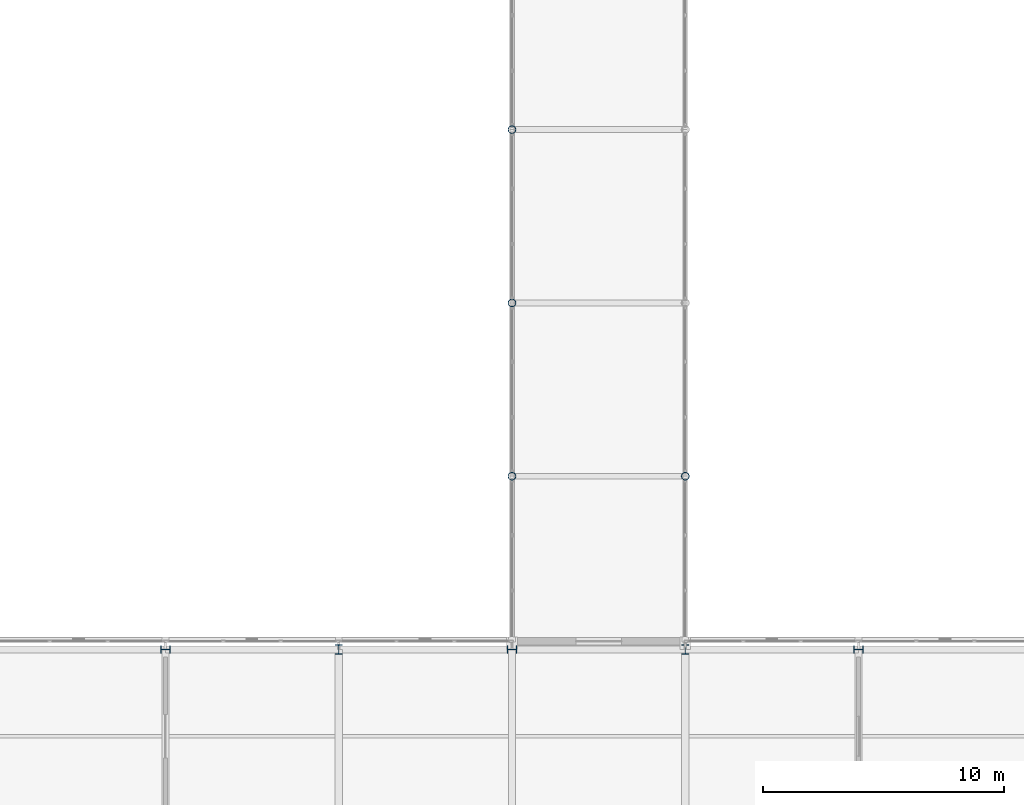
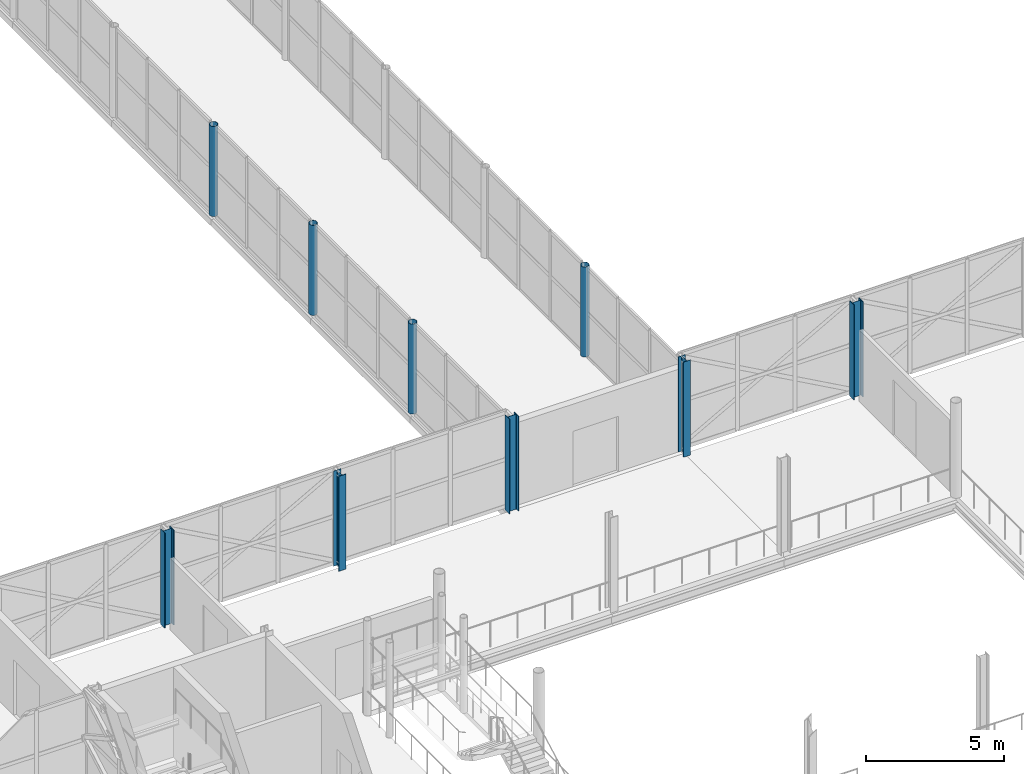
# One storey, part 9 of 146: 9 columns.
"""IFC4 building model written with IfcOpenShell, lengths in metres."""

from ifc_helpers import new_model, si_unit, direction, frame, origin, origin_2d, place, context, subcontext, project, spatial, hollow_circle, i_section, extrude, material, material_profile, profile_set, type_object, element, save


model = new_model("IFC4")

# Units and contexts
model_context = context("Model", 3, precision=1e-05, world=origin(), true_north=direction((0.0, 1.0)))
body_context = subcontext(model_context, "Body", "Model", "MODEL_VIEW")
ifc_project = project(units=[si_unit("LENGTHUNIT", "METRE"), si_unit("AREAUNIT", "SQUARE_METRE"), si_unit("VOLUMEUNIT", "CUBIC_METRE"), si_unit("PLANEANGLEUNIT", "RADIAN"), si_unit("MASSUNIT", "GRAM", prefix="KILO")], contexts=[model_context])

# Site, building, storey
site_placement = place(None, origin())
site = spatial("IfcSite", under=ifc_project, at=site_placement, CompositionType="ELEMENT")
building_placement = place(site_placement, origin())
building = spatial("IfcBuilding", under=site, at=building_placement, Name="Zlatovets Crest Museum", CompositionType="ELEMENT")
storey_placement = place(building_placement, frame((0.0, 0.0, 4.5)))
storey = spatial("IfcBuildingStorey", under=building, at=storey_placement, Name="L01", CompositionType="ELEMENT", Elevation=4.5)

# Columns
ifc_material = material(Name="Structural steel S355J2", Category="steel")
ifc_material_profile_1 = material_profile(ifc_material, i_section(OverallWidth=0.300048828125, OverallDepth=0.39990234375, WebThickness=0.013427734375, FlangeThickness=0.02392578125, FilletRadius=0.027099609375, at=origin_2d()), Name="HEB 400")
ifc_profile_set_1 = profile_set([ifc_material_profile_1], Name="Structural steel S355J2")
column_type_1 = type_object("IfcColumnType", Name="Col_C-07", PredefinedType="COLUMN", material=ifc_profile_set_1)
for number, where, z_axis, x_axis, name in (
    (1, (64.800048828125, 28.800048828125, 0.0), (0.0, 0.0, 1.0), (0.0, 1.0, 0.0), "V2 L01 Column (64.8, 28.8)"),
    (2, (72.0, 28.800048828125, 0.0), (0.0, 0.0, 1.0), (1.0, 0.0, 0.0), "V2 L01 Column (72.0, 28.8)"),
    (3, (79.199951171875, 28.800048828125, 0.0), (0.0, 0.0, 1.0), (0.0, 1.0, 0.0), "V2 L01 Column (79.2, 28.8)"),
    (4, (86.39990234375, 28.800048828125, 0.0), (0.0, 0.0, 1.0), (1.0, 0.0, 0.0), "V2 L01 Column (86.4, 28.8)"),
    (5, (93.60009765625, 28.800048828125, 0.0), (0.0, 0.0, 1.0), (0.0, 1.0, 0.0), "V2 L01 Column (93.6, 28.8)"),
):
    element("IfcColumn", number, at=place(storey_placement, frame(where, z_axis=z_axis, x_axis=x_axis)), inside=storey, type_object=column_type_1, Name=name, PredefinedType="COLUMN", context=body_context, shape_type="SweptSolid", body=[
        extrude(i_section(OverallWidth=0.300048828125, OverallDepth=0.39990234375, WebThickness=0.013427734375, FlangeThickness=0.02392578125, FilletRadius=0.027099609375, at=origin_2d()), origin(), (0.0, 0.0, 1.0), 4.199951171875),
    ])
ifc_material_profile_2 = material_profile(ifc_material, hollow_circle(Radius=0.161865234375, WallThickness=0.012451171875, at=origin_2d()), Name="CHS 323.9x12.5")
ifc_profile_set_2 = profile_set([ifc_material_profile_2], Name="Structural steel S355J2")
column_type_2 = type_object("IfcColumnType", Name="Col_C-13", PredefinedType="COLUMN", material=ifc_profile_set_2)
for number, where, z_axis, x_axis, name in (
    (6, (79.199951171875, 36.0, 0.0), (0.0, 0.0, 1.0), (1.0, 0.0, 0.0), "Central Sculpture Court Cloister and Skywalk Portal Column"),
    (7, (86.39990234375, 36.0, 0.0), (0.0, 0.0, 1.0), (1.0, 0.0, 0.0), "Central Sculpture Court Cloister and Skywalk Portal Column"),
    (8, (79.199951171875, 43.199951171875, 0.0), (0.0, 0.0, 1.0), (1.0, 0.0, 0.0), "Central Sculpture Court Cloister and Skywalk Portal Column"),
    (9, (79.199951171875, 50.39990234375, 0.0), (0.0, 0.0, 1.0), (1.0, 0.0, 0.0), "Central Sculpture Court Cloister and Skywalk Portal Column"),
):
    element("IfcColumn", number, at=place(storey_placement, frame(where, z_axis=z_axis, x_axis=x_axis)), inside=storey, type_object=column_type_2, Name=name, PredefinedType="COLUMN", context=body_context, shape_type="SweptSolid", body=[
        extrude(hollow_circle(Radius=0.161865234375, WallThickness=0.012451171875, at=origin_2d()), origin(), (0.0, 0.0, 1.0), 3.97998046875),
    ])

save(model, "model.ifc")
